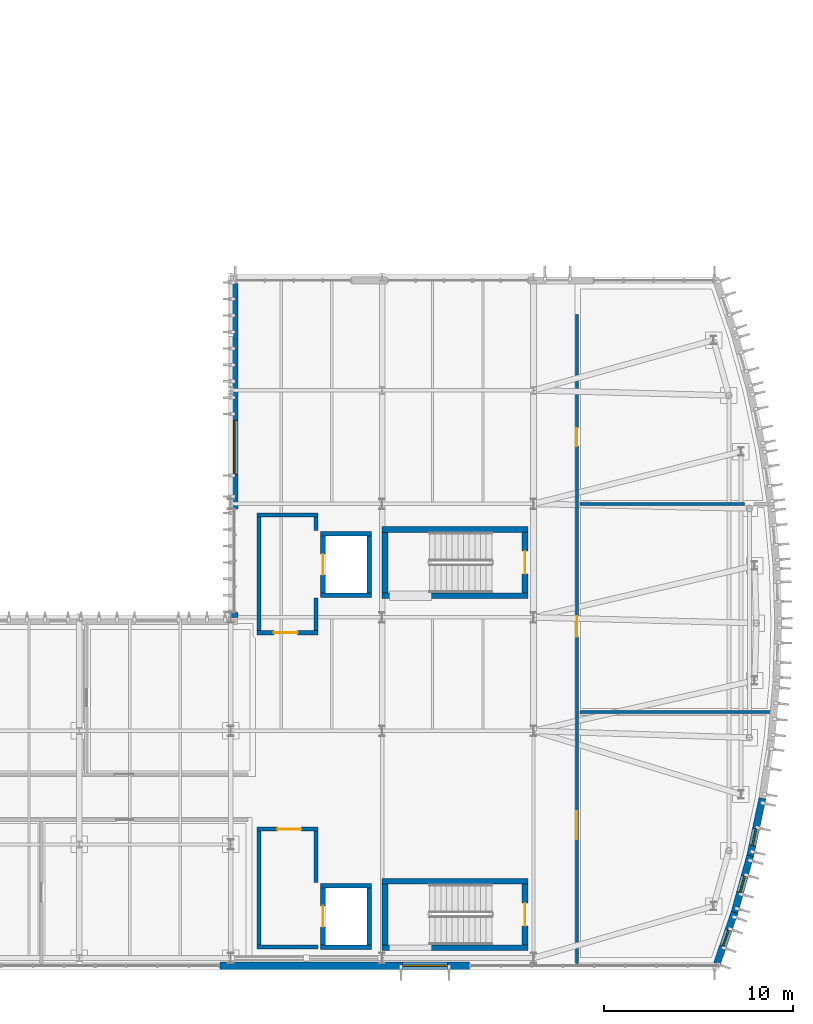
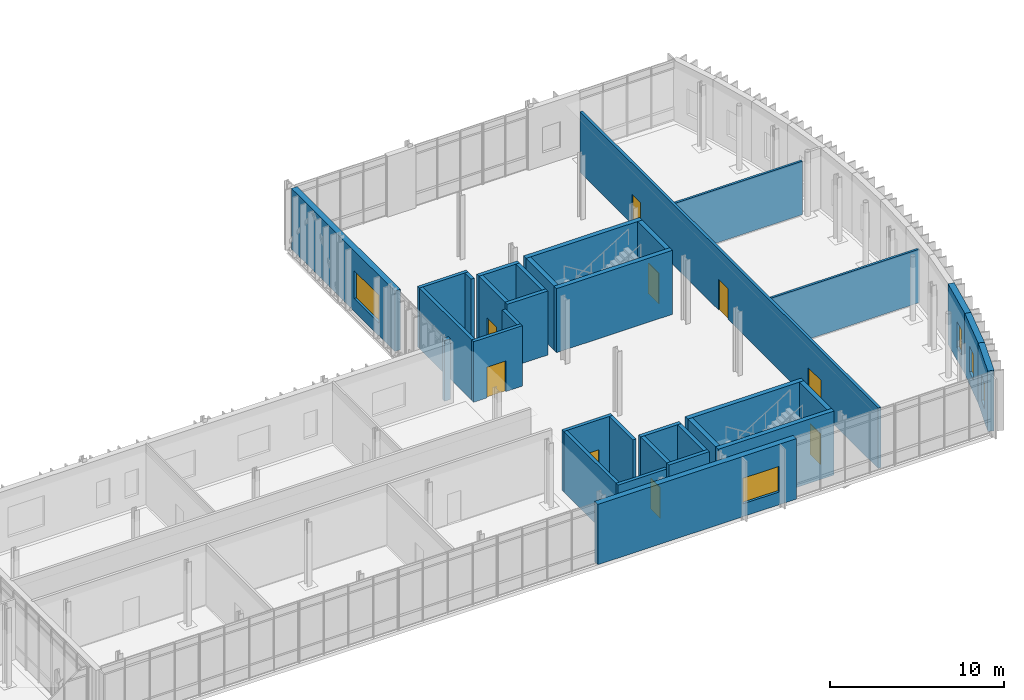
# One storey, part 65 of 86: 34 walls, 9 doors, 5 windows, 14 openings.
"""IFC4 building model written with IfcOpenShell, lengths in metres."""

from ifc_helpers import new_model, si_unit, direction, frame, frame_2d, origin, place, context, subcontext, project, spatial, rectangle, extrude, material, layer, layer_set, type_object, element, fill, save


model = new_model("IFC4")

# Units and contexts
model_context = context("Model", 3, precision=1e-05, world=origin(), true_north=direction((0.0, 1.0)))
body_context = subcontext(model_context, "Body", "Model", "MODEL_VIEW")
ifc_project = project(units=[si_unit("LENGTHUNIT", "METRE"), si_unit("AREAUNIT", "SQUARE_METRE"), si_unit("VOLUMEUNIT", "CUBIC_METRE"), si_unit("PLANEANGLEUNIT", "RADIAN"), si_unit("MASSUNIT", "GRAM", prefix="KILO")], contexts=[model_context])

# Site, building, storey
site_placement = place(None, origin())
site = spatial("IfcSite", under=ifc_project, at=site_placement, CompositionType="ELEMENT")
building_placement = place(site_placement, origin())
building = spatial("IfcBuilding", under=site, at=building_placement, Name="Cymarion Research Institute", CompositionType="ELEMENT")
storey_placement = place(building_placement, frame((0.0, 0.0, 13.800048828125)))
storey = spatial("IfcBuildingStorey", under=building, at=storey_placement, Name="L03", CompositionType="ELEMENT", Elevation=13.800048828125)

# Wall, opening, window
ifc_material_1 = material(Name="Precast concrete C40/50", Category="concrete")
ifc_layer_1 = layer(ifc_material_1, 0.3798828125)
ifc_layer_set_1 = layer_set([ifc_layer_1], Name="Precast concrete C40/50")
wall_type_1 = type_object("IfcWallType", Name="EXTERIOR WALL EW-PC380 380MM", PredefinedType="SOLIDWALL", material=ifc_layer_set_1)
wall_1_placement = place(storey_placement, frame((138.027587890625, 5.090087890625, 0.0), z_axis=(0.0, 0.0, 1.0), x_axis=(1.0, 0.0, 0.0)))
wall_1 = element("IfcWall", 1, at=wall_1_placement, inside=storey, type_object=wall_type_1, Name="L03 V1 facade pier wall EW-PC380 #161", PredefinedType="SOLIDWALL", context=body_context, shape_type="SweptSolid", body=[
    extrude(rectangle(XDim=13.186279296875, YDim=0.3798828125, at=frame_2d((6.59326171875, 0.0))), origin(), (0.0, 0.0, 1.0), 4.239990234375),
])
opening_1_placement = place(wall_1_placement, frame((9.638916015625, 0.0, 0.89990234375)))
opening_1 = element("IfcOpeningElement", 2, at=opening_1_placement, cuts=wall_1, Name="Opening W05", PredefinedType="OPENING", context=body_context, shape_type="SweptSolid", body=[
    extrude(rectangle(XDim=2.39990234375, YDim=1.800048828125, at=frame_2d((1.199951171875, 0.89990234375))), frame((0.0, 0.199951171875, 0.0), z_axis=(0.0, -1.0, 0.0), x_axis=(1.0, 0.0, 0.0)), (0.0, 0.0, 1.0), 0.39990234375),
])
ifc_material_2 = material(Name="Thermally broken aluminium window with Low-E glazing", Category="aluminium")
window_type_1 = type_object("IfcWindowType", Name="THERMALLY BROKEN ALUMINIUM WINDOW W05 2400X1800", PartitioningType="TRIPLE_PANEL_VERTICAL", PredefinedType="WINDOW", material=ifc_material_2)
window_1_placement = place(opening_1_placement, origin())
window_1 = element("IfcWindow", 3, at=window_1_placement, inside=storey, type_object=window_type_1, Name="L03 V1 facade window W05 #307", OverallHeight=1.800048828125, OverallWidth=2.39990234375, PartitioningType="SINGLE_PANEL", PredefinedType="WINDOW", context=body_context, shape_type="SweptSolid", body=[
    extrude(rectangle(XDim=2.39990234375, YDim=1.800048828125, at=frame_2d((1.199951171875, 0.89990234375))), frame((0.0, 0.030029296875, 0.0), z_axis=(0.0, -1.0, 0.0), x_axis=(1.0, 0.0, 0.0)), (0.0, 0.0, 1.0), 0.06005859375),
])
fill(opening_1, window_1)

wall_2_placement = place(storey_placement, frame((164.30224609375, 5.201416015625, 0.0), z_axis=(0.0, 0.0, 1.0), x_axis=(0.323739917301, 0.946146112366, 0.0)))
wall_2 = element("IfcWall", 4, at=wall_2_placement, inside=storey, type_object=wall_type_1, Name="L03 V1 exterior wall EW-PC380 #162", PredefinedType="SOLIDWALL", context=body_context, shape_type="SweptSolid", body=[
    extrude(rectangle(XDim=2.862548828125, YDim=0.3798828125, at=frame_2d((1.43115234375, 0.0))), origin(), (0.0, 0.0, 1.0), 4.25),
])
opening_2_placement = place(wall_2_placement, frame((0.98095703125, 0.0, 0.89990234375)))
opening_2 = element("IfcOpeningElement", 5, at=opening_2_placement, cuts=wall_2, Name="Opening W24", PredefinedType="OPENING", context=body_context, shape_type="SweptSolid", body=[
    extrude(rectangle(XDim=0.89990234375, YDim=1.800048828125, at=frame_2d((0.449951171875, 0.89990234375))), frame((0.0, 0.199951171875, 0.0), z_axis=(0.0, -1.0, 0.0), x_axis=(1.0, 0.0, 0.0)), (0.0, 0.0, 1.0), 0.39990234375),
])
window_type_2 = type_object("IfcWindowType", Name="THERMALLY BROKEN ALUMINIUM WINDOW W24 900X1800", PartitioningType="SINGLE_PANEL", PredefinedType="WINDOW", material=ifc_material_2)
window_2_placement = place(opening_2_placement, origin())
window_2 = element("IfcWindow", 6, at=window_2_placement, inside=storey, type_object=window_type_2, Name="L03 V1 facade window W24 #308", OverallHeight=1.800048828125, OverallWidth=0.89990234375, PartitioningType="SINGLE_PANEL", PredefinedType="WINDOW", context=body_context, shape_type="SweptSolid", body=[
    extrude(rectangle(XDim=0.89990234375, YDim=1.800048828125, at=frame_2d((0.449951171875, 0.89990234375))), frame((0.0, 0.030029296875, 0.0), z_axis=(0.0, -1.0, 0.0), x_axis=(1.0, 0.0, 0.0)), (0.0, 0.0, 1.0), 0.06005859375),
])
fill(opening_2, window_2)

wall_3_placement = place(storey_placement, frame((165.222412109375, 7.8876953125, 0.0), z_axis=(0.0, 0.0, 1.0), x_axis=(0.266536691105, 0.963824772609, 0.0)))
wall_3 = element("IfcWall", 7, at=wall_3_placement, inside=storey, type_object=wall_type_1, Name="L03 V1 exterior wall EW-PC380 #163", PredefinedType="SOLIDWALL", context=body_context, shape_type="SweptSolid", body=[
    extrude(rectangle(XDim=3.1279296875, YDim=0.3798828125, at=frame_2d((1.56396484375, 0.0))), origin(), (0.0, 0.0, 1.0), 4.25),
])
opening_3_placement = place(wall_3_placement, frame((1.114013671875, 0.0, 0.89990234375)))
opening_3 = element("IfcOpeningElement", 8, at=opening_3_placement, cuts=wall_3, Name="Opening W24", PredefinedType="OPENING", context=body_context, shape_type="SweptSolid", body=[
    extrude(rectangle(XDim=0.89990234375, YDim=1.800048828125, at=frame_2d((0.449951171875, 0.89990234375))), frame((0.0, 0.199951171875, 0.0), z_axis=(0.0, -1.0, 0.0), x_axis=(1.0, 0.0, 0.0)), (0.0, 0.0, 1.0), 0.39990234375),
])
window_3_placement = place(opening_3_placement, origin())
window_3 = element("IfcWindow", 9, at=window_3_placement, inside=storey, type_object=window_type_2, Name="L03 V1 facade window W24 #309", OverallHeight=1.800048828125, OverallWidth=0.89990234375, PartitioningType="SINGLE_PANEL", PredefinedType="WINDOW", context=body_context, shape_type="SweptSolid", body=[
    extrude(rectangle(XDim=0.89990234375, YDim=1.800048828125, at=frame_2d((0.449951171875, 0.89990234375))), frame((0.0, 0.030029296875, 0.0), z_axis=(0.0, -1.0, 0.0), x_axis=(1.0, 0.0, 0.0)), (0.0, 0.0, 1.0), 0.06005859375),
])
fill(opening_3, window_3)

wall_4_placement = place(storey_placement, frame((166.05078125, 10.8798828125, 0.0), z_axis=(0.0, 0.0, 1.0), x_axis=(0.208287141705, 0.978067720866, 0.0)))
wall_4 = element("IfcWall", 10, at=wall_4_placement, inside=storey, type_object=wall_type_1, Name="L03 V1 exterior wall EW-PC380 #164", PredefinedType="SOLIDWALL", context=body_context, shape_type="SweptSolid", body=[
    extrude(rectangle(XDim=3.12841796875, YDim=0.3798828125, at=frame_2d((1.564208984375, 0.0))), origin(), (0.0, 0.0, 1.0), 4.25),
])
opening_4_placement = place(wall_4_placement, frame((0.5830078125, 0.0, 0.89990234375)))
opening_4 = element("IfcOpeningElement", 11, at=opening_4_placement, cuts=wall_4, Name="Opening W24", PredefinedType="OPENING", context=body_context, shape_type="SweptSolid", body=[
    extrude(rectangle(XDim=0.89990234375, YDim=1.800048828125, at=frame_2d((0.449951171875, 0.89990234375))), frame((0.0, 0.199951171875, 0.0), z_axis=(0.0, -1.0, 0.0), x_axis=(1.0, 0.0, 0.0)), (0.0, 0.0, 1.0), 0.39990234375),
])
window_4_placement = place(opening_4_placement, origin())
window_4 = element("IfcWindow", 12, at=window_4_placement, inside=storey, type_object=window_type_2, Name="L03 V1 facade window W24 #310", OverallHeight=1.800048828125, OverallWidth=0.89990234375, PartitioningType="SINGLE_PANEL", PredefinedType="WINDOW", context=body_context, shape_type="SweptSolid", body=[
    extrude(rectangle(XDim=0.89990234375, YDim=1.800048828125, at=frame_2d((0.449951171875, 0.89990234375))), frame((0.0, 0.030029296875, 0.0), z_axis=(0.0, -1.0, 0.0), x_axis=(1.0, 0.0, 0.0)), (0.0, 0.0, 1.0), 0.06005859375),
])
fill(opening_4, window_4)

wall_5_placement = place(storey_placement, frame((138.7900390625, 41.137939453125, 0.0), z_axis=(0.0, 0.0, 1.0), x_axis=(0.0, -1.0, 0.0)))
wall_5 = element("IfcWall", 13, at=wall_5_placement, inside=storey, type_object=wall_type_1, Name="L03 V1 facade pier wall EW-PC380 #177", PredefinedType="SOLIDWALL", context=body_context, shape_type="SweptSolid", body=[
    extrude(rectangle(XDim=11.89794921875, YDim=0.3798828125, at=frame_2d((5.948974609375, 0.0))), origin(), (0.0, 0.0, 1.0), 4.25),
])
opening_5_placement = place(wall_5_placement, frame((7.222900390625, 0.0, 0.89990234375)))
opening_5 = element("IfcOpeningElement", 14, at=opening_5_placement, cuts=wall_5, Name="Opening W32", PredefinedType="OPENING", context=body_context, shape_type="SweptSolid", body=[
    extrude(rectangle(XDim=2.85009765625, YDim=1.949951171875, at=frame_2d((1.425048828125, 0.97509765625))), frame((0.0, 0.199951171875, 0.0), z_axis=(0.0, -1.0, 0.0), x_axis=(1.0, 0.0, 0.0)), (0.0, 0.0, 1.0), 0.39990234375),
])
window_type_3 = type_object("IfcWindowType", Name="THERMALLY BROKEN ALUMINIUM WINDOW W32 2850X1950", PartitioningType="TRIPLE_PANEL_VERTICAL", PredefinedType="WINDOW", material=ifc_material_2)
window_5_placement = place(opening_5_placement, origin())
window_5 = element("IfcWindow", 15, at=window_5_placement, inside=storey, type_object=window_type_3, Name="L03 V1 facade window W32 #320", OverallHeight=1.949951171875, OverallWidth=2.85009765625, PartitioningType="SINGLE_PANEL", PredefinedType="WINDOW", context=body_context, shape_type="SweptSolid", body=[
    extrude(rectangle(XDim=2.85009765625, YDim=1.949951171875, at=frame_2d((1.425048828125, 0.97509765625))), frame((0.0, 0.030029296875, 0.0), z_axis=(0.0, -1.0, 0.0), x_axis=(1.0, 0.0, 0.0)), (0.0, 0.0, 1.0), 0.06005859375),
])
fill(opening_5, window_5)

# Walls
wall_6_placement = place(storey_placement, frame((138.7900390625, 23.760009765625, 0.0), z_axis=(0.0, 0.0, 1.0), x_axis=(0.0, -1.0, 0.0)))
element("IfcWall", 16, at=wall_6_placement, inside=storey, type_object=wall_type_1, Name="L03 V1 facade pier wall EW-PC380 #178", PredefinedType="SOLIDWALL", context=body_context, shape_type="SweptSolid", body=[
    extrude(rectangle(XDim=0.260009765625, YDim=0.3798828125, at=frame_2d((0.1298828125, 0.0))), origin(), (0.0, 0.0, 1.0), 4.25),
])
ifc_material_3 = material(Name="Gypsum acoustic double-stud partition", Category="gypsum")
ifc_layer_2 = layer(ifc_material_3, 0.14990234375)
ifc_layer_set_2 = layer_set([ifc_layer_2], Name="Gypsum acoustic double-stud partition")
wall_type_2 = type_object("IfcWallType", Name="INTERIOR PARTITION IW-AC150 150MM", PredefinedType="PARTITIONING", material=ifc_layer_set_2)
wall_7_placement = place(storey_placement, frame((157.050048828125, 18.5, 0.0), z_axis=(0.0, 0.0, 1.0), x_axis=(1.0, 0.0, 0.0)))
element("IfcWall", 17, at=wall_7_placement, inside=storey, type_object=wall_type_2, Name="L03 V1 interior partition IW-AC150 #227", PredefinedType="PARTITIONING", context=body_context, shape_type="SweptSolid", body=[
    extrude(rectangle(XDim=10.134033203125, YDim=0.14990234375, at=frame_2d((5.06689453125, 0.0))), origin(), (0.0, 0.0, 1.0), 3.75),
])
wall_8_placement = place(storey_placement, frame((157.050048828125, 29.5, 0.0), z_axis=(0.0, 0.0, 1.0), x_axis=(1.0, 0.0, 0.0)))
element("IfcWall", 18, at=wall_8_placement, inside=storey, type_object=wall_type_2, Name="L03 V1 interior partition IW-AC150 #228", PredefinedType="PARTITIONING", context=body_context, shape_type="SweptSolid", body=[
    extrude(rectangle(XDim=8.712890625, YDim=0.14990234375, at=frame_2d((4.3564453125, 0.0))), origin(), (0.0, 0.0, 1.0), 3.75),
])

# Wall, openings, doors
ifc_material_4 = material(Name="Moisture-resistant laboratory partition", Category="gypsum")
ifc_layer_3 = layer(ifc_material_4, 0.179931640625)
ifc_layer_set_3 = layer_set([ifc_layer_3], Name="Moisture-resistant laboratory partition")
wall_type_3 = type_object("IfcWallType", Name="INTERIOR PARTITION IW-LB180 180MM", PredefinedType="PARTITIONING", material=ifc_layer_set_3)
wall_9_placement = place(storey_placement, frame((156.89990234375, 5.205078125, 0.0), z_axis=(0.0, 0.0, 1.0), x_axis=(0.0, 1.0, 0.0)))
wall_9 = element("IfcWall", 19, at=wall_9_placement, inside=storey, type_object=wall_type_3, Name="L03 V1 interior partition IW-LB180 #226", PredefinedType="PARTITIONING", context=body_context, shape_type="SweptSolid", body=[
    extrude(rectangle(XDim=34.294921875, YDim=0.179931640625, at=frame_2d((17.1474609375, 0.0))), origin(), (0.0, 0.0, 1.0), 4.25),
])
opening_6_placement = place(wall_9_placement, frame((6.55908203125, 0.0, 0.0)))
opening_6 = element("IfcOpeningElement", 20, at=opening_6_placement, cuts=wall_9, Name="Opening D-L03-151", PredefinedType="OPENING", context=body_context, shape_type="SweptSolid", body=[
    extrude(rectangle(XDim=1.5, YDim=2.199951171875, at=frame_2d((0.75, 1.10009765625))), frame((0.0, 0.099853515625, 0.0), z_axis=(0.0, -1.0, 0.0), x_axis=(1.0, 0.0, 0.0)), (0.0, 0.0, 1.0), 0.199951171875),
])
opening_7_placement = place(wall_9_placement, frame((17.260986328125, 0.0, 0.0)))
opening_7 = element("IfcOpeningElement", 21, at=opening_7_placement, cuts=wall_9, Name="Opening D-L03-152", PredefinedType="OPENING", context=body_context, shape_type="SweptSolid", body=[
    extrude(rectangle(XDim=1.10009765625, YDim=2.14990234375, at=frame_2d((0.550048828125, 1.074951171875))), frame((0.0, 0.099853515625, 0.0), z_axis=(0.0, -1.0, 0.0), x_axis=(1.0, 0.0, 0.0)), (0.0, 0.0, 1.0), 0.199951171875),
])
opening_8_placement = place(wall_9_placement, frame((27.343017578125, 0.0, 0.0)))
opening_8 = element("IfcOpeningElement", 22, at=opening_8_placement, cuts=wall_9, Name="Opening D-L03-153", PredefinedType="OPENING", context=body_context, shape_type="SweptSolid", body=[
    extrude(rectangle(XDim=0.949951171875, YDim=2.10009765625, at=frame_2d((0.47509765625, 1.050048828125))), frame((0.0, 0.099853515625, 0.0), z_axis=(0.0, -1.0, 0.0), x_axis=(1.0, 0.0, 0.0)), (0.0, 0.0, 1.0), 0.199951171875),
])
ifc_material_5 = material(Name="Flush acoustic timber/steel door assembly", Category="steel")
door_type_1 = type_object("IfcDoorType", Name="FACULTY STUDY DOOR DT-OF095 950X2100", OperationType="NOTDEFINED", PredefinedType="DOOR", material=ifc_material_5)
door_1_placement = place(opening_8_placement, origin())
door_1 = element("IfcDoor", 23, at=door_1_placement, inside=storey, type_object=door_type_1, Name="L03 Prow Seminar door D-L03-153", OperationType="SINGLE_SWING_RIGHT", OverallHeight=2.10009765625, OverallWidth=0.949951171875, PredefinedType="DOOR", context=body_context, shape_type="SweptSolid", body=[
    extrude(rectangle(XDim=0.949951171875, YDim=2.10009765625, at=frame_2d((0.47509765625, 1.050048828125))), frame((0.0, 0.02490234375, 0.0), z_axis=(0.0, -1.0, 0.0), x_axis=(1.0, 0.0, 0.0)), (0.0, 0.0, 1.0), 0.050048828125),
])
fill(opening_8, door_1)
door_type_2 = type_object("IfcDoorType", Name="LABORATORY EQUIPMENT DOUBLE DOOR DT-LB150 1500X2200", OperationType="DOUBLE_DOOR_SINGLE_SWING", PredefinedType="DOOR", material=ifc_material_5)
door_2_placement = place(opening_6_placement, origin())
door_2 = element("IfcDoor", 24, at=door_2_placement, inside=storey, type_object=door_type_2, Name="L03 Prow Lab 1 door D-L03-151", OperationType="DOUBLE_DOOR_SINGLE_SWING", OverallHeight=2.199951171875, OverallWidth=1.5, PredefinedType="DOOR", context=body_context, shape_type="SweptSolid", body=[
    extrude(rectangle(XDim=1.5, YDim=2.199951171875, at=frame_2d((0.75, 1.10009765625))), frame((0.0, 0.02490234375, 0.0), z_axis=(0.0, -1.0, 0.0), x_axis=(1.0, 0.0, 0.0)), (0.0, 0.0, 1.0), 0.050048828125),
])
fill(opening_6, door_2)
door_type_3 = type_object("IfcDoorType", Name="LABORATORY WIDE SINGLE DOOR DT-LB110 1100X2150", OperationType="NOTDEFINED", PredefinedType="DOOR", material=ifc_material_5)
door_3_placement = place(opening_7_placement, origin())
door_3 = element("IfcDoor", 25, at=door_3_placement, inside=storey, type_object=door_type_3, Name="L03 Prow Lab 2 door D-L03-152", OperationType="SINGLE_SWING_LEFT", OverallHeight=2.14990234375, OverallWidth=1.10009765625, PredefinedType="DOOR", context=body_context, shape_type="SweptSolid", body=[
    extrude(rectangle(XDim=1.10009765625, YDim=2.14990234375, at=frame_2d((0.550048828125, 1.074951171875))), frame((0.0, 0.02490234375, 0.0), z_axis=(0.0, -1.0, 0.0), x_axis=(1.0, 0.0, 0.0)), (0.0, 0.0, 1.0), 0.050048828125),
])
fill(opening_7, door_3)

# Wall
ifc_material_6 = material(Name="Concrete C40/50", Category="concrete")
ifc_layer_4 = layer(ifc_material_6, 0.219970703125)
ifc_layer_set_4 = layer_set([ifc_layer_4], Name="Concrete C40/50")
wall_type_4 = type_object("IfcWallType", Name="REINFORCED CONCRETE CORE WALL CW-FF220 220MM", PredefinedType="SOLIDWALL", material=ifc_layer_set_4)
wall_10_placement = place(storey_placement, frame((139.97998046875, 6.090087890625, 0.0), z_axis=(0.0, 0.0, 1.0), x_axis=(1.0, 0.0, 0.0)))
element("IfcWall", 26, at=wall_10_placement, inside=storey, type_object=wall_type_4, Name="L03 FFL-LF1-L03 south core wall", PredefinedType="SOLIDWALL", context=body_context, shape_type="SweptSolid", body=[
    extrude(rectangle(XDim=3.239990234375, YDim=0.219970703125, at=frame_2d((1.6201171875, 0.0))), origin(), (0.0, 0.0, 1.0), 4.25),
])

# Wall, opening, door
wall_11_placement = place(storey_placement, frame((143.219970703125, 12.31005859375, 0.0), z_axis=(0.0, 0.0, 1.0), x_axis=(-1.0, 0.0, 0.0)))
wall_11 = element("IfcWall", 27, at=wall_11_placement, inside=storey, type_object=wall_type_4, Name="L03 FFL-LF1-L03 north core wall", PredefinedType="SOLIDWALL", context=body_context, shape_type="SweptSolid", body=[
    extrude(rectangle(XDim=3.239990234375, YDim=0.219970703125, at=frame_2d((1.6201171875, 0.0))), origin(), (0.0, 0.0, 1.0), 4.25),
])
opening_9_placement = place(wall_11_placement, frame((0.89990234375, 0.0, 0.0)))
opening_9 = element("IfcOpeningElement", 28, at=opening_9_placement, cuts=wall_11, Name="Opening FD-FFL-LF1-L03", PredefinedType="OPENING", context=body_context, shape_type="SweptSolid", body=[
    extrude(rectangle(XDim=1.25, YDim=2.14990234375, at=frame_2d((0.625, 1.074951171875))), frame((0.0, 0.119873046875, 0.0), z_axis=(0.0, -1.0, 0.0), x_axis=(1.0, 0.0, 0.0)), (0.0, 0.0, 1.0), 0.239990234375),
])
ifc_material_7 = material(Name="Fire-rated insulated steel door assembly", Category="steel")
door_type_4 = type_object("IfcDoorType", Name="FIREFIGHTING LOBBY DOOR DT-FF125 1250X2150", OperationType="NOTDEFINED", PredefinedType="DOOR", material=ifc_material_7)
door_4_placement = place(opening_9_placement, frame((1.25, 0.0, 0.0), z_axis=(0.0, 0.0, 1.0), x_axis=(-1.0, 0.0, 0.0)))
door_4 = element("IfcDoor", 29, at=door_4_placement, inside=storey, type_object=door_type_4, Name="L03 Firefighting lobby door FD-FFL-LF1-L03", OperationType="SINGLE_SWING_LEFT", OverallHeight=2.14990234375, OverallWidth=1.25, PredefinedType="DOOR", context=body_context, shape_type="SweptSolid", body=[
    extrude(rectangle(XDim=1.25, YDim=2.14990234375, at=frame_2d((0.625, 1.074951171875))), frame((0.0, 0.02490234375, 0.0), z_axis=(0.0, -1.0, 0.0), x_axis=(1.0, 0.0, 0.0)), (0.0, 0.0, 1.0), 0.050048828125),
])
fill(opening_9, door_4)

# Walls
wall_12_placement = place(storey_placement, frame((140.090087890625, 12.199951171875, 0.0), z_axis=(0.0, 0.0, 1.0), x_axis=(0.0, -1.0, 0.0)))
element("IfcWall", 30, at=wall_12_placement, inside=storey, type_object=wall_type_4, Name="L03 FFL-LF1-L03 west core wall", PredefinedType="SOLIDWALL", context=body_context, shape_type="SweptSolid", body=[
    extrude(rectangle(XDim=6.0, YDim=0.219970703125, at=frame_2d((3.0, 0.0))), origin(), (0.0, 0.0, 1.0), 4.25),
])
wall_13_placement = place(storey_placement, frame((143.110107421875, 9.47998046875, 0.0), z_axis=(0.0, 0.0, 1.0), x_axis=(0.0, 1.0, 0.0)))
element("IfcWall", 31, at=wall_13_placement, inside=storey, type_object=wall_type_4, Name="Core C1 firefighting lobby east closure wall L03", PredefinedType="SOLIDWALL", context=body_context, shape_type="SweptSolid", body=[
    extrude(rectangle(XDim=2.719970703125, YDim=0.219970703125, at=frame_2d((1.35986328125, 0.0))), origin(), (0.0, 0.0, 1.0), 4.25),
])

# Wall, opening, door
wall_14_placement = place(storey_placement, frame((139.97998046875, 22.68994140625, 0.0), z_axis=(0.0, 0.0, 1.0), x_axis=(1.0, 0.0, 0.0)))
wall_14 = element("IfcWall", 32, at=wall_14_placement, inside=storey, type_object=wall_type_4, Name="L03 FFL-LF2-L03 south core wall", PredefinedType="SOLIDWALL", context=body_context, shape_type="SweptSolid", body=[
    extrude(rectangle(XDim=3.239990234375, YDim=0.219970703125, at=frame_2d((1.6201171875, 0.0))), origin(), (0.0, 0.0, 1.0), 4.25),
])
opening_10_placement = place(wall_14_placement, frame((0.89990234375, 0.0, 0.0)))
opening_10 = element("IfcOpeningElement", 33, at=opening_10_placement, cuts=wall_14, Name="Opening FD-FFL-LF2-L03", PredefinedType="OPENING", context=body_context, shape_type="SweptSolid", body=[
    extrude(rectangle(XDim=1.25, YDim=2.14990234375, at=frame_2d((0.625, 1.074951171875))), frame((0.0, 0.119873046875, 0.0), z_axis=(0.0, -1.0, 0.0), x_axis=(1.0, 0.0, 0.0)), (0.0, 0.0, 1.0), 0.239990234375),
])
door_5_placement = place(opening_10_placement, frame((1.25, 0.0, 0.0), z_axis=(0.0, 0.0, 1.0), x_axis=(-1.0, 0.0, 0.0)))
door_5 = element("IfcDoor", 34, at=door_5_placement, inside=storey, type_object=door_type_4, Name="L03 Firefighting lobby door FD-FFL-LF2-L03", OperationType="SINGLE_SWING_LEFT", OverallHeight=2.14990234375, OverallWidth=1.25, PredefinedType="DOOR", context=body_context, shape_type="SweptSolid", body=[
    extrude(rectangle(XDim=1.25, YDim=2.14990234375, at=frame_2d((0.625, 1.074951171875))), frame((0.0, 0.02490234375, 0.0), z_axis=(0.0, -1.0, 0.0), x_axis=(1.0, 0.0, 0.0)), (0.0, 0.0, 1.0), 0.050048828125),
])
fill(opening_10, door_5)

# Walls
wall_15_placement = place(storey_placement, frame((143.219970703125, 28.909912109375, 0.0), z_axis=(0.0, 0.0, 1.0), x_axis=(-1.0, 0.0, 0.0)))
element("IfcWall", 35, at=wall_15_placement, inside=storey, type_object=wall_type_4, Name="L03 FFL-LF2-L03 north core wall", PredefinedType="SOLIDWALL", context=body_context, shape_type="SweptSolid", body=[
    extrude(rectangle(XDim=3.239990234375, YDim=0.219970703125, at=frame_2d((1.6201171875, 0.0))), origin(), (0.0, 0.0, 1.0), 4.25),
])
wall_16_placement = place(storey_placement, frame((140.090087890625, 28.800048828125, 0.0), z_axis=(0.0, 0.0, 1.0), x_axis=(0.0, -1.0, 0.0)))
element("IfcWall", 36, at=wall_16_placement, inside=storey, type_object=wall_type_4, Name="L03 FFL-LF2-L03 west core wall", PredefinedType="SOLIDWALL", context=body_context, shape_type="SweptSolid", body=[
    extrude(rectangle(XDim=6.0, YDim=0.219970703125, at=frame_2d((3.0, 0.0))), origin(), (0.0, 0.0, 1.0), 4.25),
])
wall_17_placement = place(storey_placement, frame((143.110107421875, 22.800048828125, 0.0), z_axis=(0.0, 0.0, 1.0), x_axis=(0.0, 1.0, 0.0)))
element("IfcWall", 37, at=wall_17_placement, inside=storey, type_object=wall_type_4, Name="Core C2 firefighting lobby east closure wall L03 #1", PredefinedType="SOLIDWALL", context=body_context, shape_type="SweptSolid", body=[
    extrude(rectangle(XDim=1.719970703125, YDim=0.219970703125, at=frame_2d((0.85986328125, 0.0))), origin(), (0.0, 0.0, 1.0), 4.25),
])
wall_18_placement = place(storey_placement, frame((143.110107421875, 28.080078125, 0.0), z_axis=(0.0, 0.0, 1.0), x_axis=(0.0, 1.0, 0.0)))
element("IfcWall", 38, at=wall_18_placement, inside=storey, type_object=wall_type_4, Name="Core C2 firefighting lobby east closure wall L03 #2", PredefinedType="SOLIDWALL", context=body_context, shape_type="SweptSolid", body=[
    extrude(rectangle(XDim=0.719970703125, YDim=0.219970703125, at=frame_2d((0.35986328125, 0.0))), origin(), (0.0, 0.0, 1.0), 4.25),
])
ifc_layer_5 = layer(ifc_material_6, 0.25)
ifc_layer_set_5 = layer_set([ifc_layer_5], Name="Concrete C40/50")
wall_type_5 = type_object("IfcWallType", Name="REINFORCED CONCRETE CORE WALL CW-SH250 250MM", PredefinedType="SHEAR", material=ifc_layer_set_5)
for number, where, z_axis, x_axis, name in (
    (39, (143.35009765625, 6.074951171875, 0.0), (0.0, 0.0, 1.0), (1.0, 0.0, 0.0), "L03 LSH-LF1-L03 south core wall"),
    (40, (146.050048828125, 9.324951171875, 0.0), (0.0, 0.0, 1.0), (-1.0, 0.0, 0.0), "L03 LSH-LF1-L03 north core wall"),
):
    element("IfcWall", number, at=place(storey_placement, frame(where, z_axis=z_axis, x_axis=x_axis)), inside=storey, type_object=wall_type_5, Name=name, PredefinedType="SHEAR", context=body_context, shape_type="SweptSolid", body=[
        extrude(rectangle(XDim=2.699951171875, YDim=0.25, at=frame_2d((1.35009765625, 0.0))), origin(), (0.0, 0.0, 1.0), 4.5),
    ])

# Wall, opening, door
wall_19_placement = place(storey_placement, frame((143.47509765625, 9.199951171875, 0.0), z_axis=(0.0, 0.0, 1.0), x_axis=(0.0, -1.0, 0.0)))
wall_19 = element("IfcWall", 41, at=wall_19_placement, inside=storey, type_object=wall_type_5, Name="L03 LSH-LF1-L03 west core wall", PredefinedType="SHEAR", context=body_context, shape_type="SweptSolid", body=[
    extrude(rectangle(XDim=3.0, YDim=0.25, at=frame_2d((1.5, 0.0))), origin(), (0.0, 0.0, 1.0), 4.5),
])
opening_11_placement = place(wall_19_placement, frame((0.949951171875, 0.0, 0.0)))
opening_11 = element("IfcOpeningElement", 42, at=opening_11_placement, cuts=wall_19, Name="Opening LD-LF1-L03", PredefinedType="OPENING", context=body_context, shape_type="SweptSolid", body=[
    extrude(rectangle(XDim=1.10009765625, YDim=2.14990234375, at=frame_2d((0.550048828125, 1.074951171875))), frame((0.0, 0.135009765625, 0.0), z_axis=(0.0, -1.0, 0.0), x_axis=(1.0, 0.0, 0.0)), (0.0, 0.0, 1.0), 0.27001953125),
])
door_type_5 = type_object("IfcDoorType", Name="SLIDING LIFT LANDING DOOR DT-LD110 1100X2150", OperationType="DOUBLE_DOOR_SLIDING", PredefinedType="DOOR", material=ifc_material_7)
door_6_placement = place(opening_11_placement, origin())
door_6 = element("IfcDoor", 43, at=door_6_placement, inside=storey, type_object=door_type_5, Name="Lift LF1 landing door L03", OperationType="DOUBLE_DOOR_SLIDING", OverallHeight=2.14990234375, OverallWidth=1.10009765625, PredefinedType="DOOR", context=body_context, shape_type="SweptSolid", body=[
    extrude(rectangle(XDim=1.10009765625, YDim=2.14990234375, at=frame_2d((0.550048828125, 1.074951171875))), frame((0.0, 0.02490234375, 0.0), z_axis=(0.0, -1.0, 0.0), x_axis=(1.0, 0.0, 0.0)), (0.0, 0.0, 1.0), 0.050048828125),
])
fill(opening_11, door_6)

# Walls
wall_20_placement = place(storey_placement, frame((145.925048828125, 6.199951171875, 0.0), z_axis=(0.0, 0.0, 1.0), x_axis=(0.0, 1.0, 0.0)))
element("IfcWall", 44, at=wall_20_placement, inside=storey, type_object=wall_type_5, Name="L03 LSH-LF1-L03 east core wall", PredefinedType="SHEAR", context=body_context, shape_type="SweptSolid", body=[
    extrude(rectangle(XDim=3.0, YDim=0.25, at=frame_2d((1.5, 0.0))), origin(), (0.0, 0.0, 1.0), 4.5),
])
for number, where, z_axis, x_axis, name in (
    (45, (143.35009765625, 24.675048828125, 0.0), (0.0, 0.0, 1.0), (1.0, 0.0, 0.0), "L03 LSH-LF2-L03 south core wall"),
    (46, (146.050048828125, 27.925048828125, 0.0), (0.0, 0.0, 1.0), (-1.0, 0.0, 0.0), "L03 LSH-LF2-L03 north core wall"),
):
    element("IfcWall", number, at=place(storey_placement, frame(where, z_axis=z_axis, x_axis=x_axis)), inside=storey, type_object=wall_type_5, Name=name, PredefinedType="SHEAR", context=body_context, shape_type="SweptSolid", body=[
        extrude(rectangle(XDim=2.699951171875, YDim=0.25, at=frame_2d((1.35009765625, 0.0))), origin(), (0.0, 0.0, 1.0), 4.5),
    ])

# Wall, opening, door
wall_21_placement = place(storey_placement, frame((143.47509765625, 27.800048828125, 0.0), z_axis=(0.0, 0.0, 1.0), x_axis=(0.0, -1.0, 0.0)))
wall_21 = element("IfcWall", 47, at=wall_21_placement, inside=storey, type_object=wall_type_5, Name="L03 LSH-LF2-L03 west core wall", PredefinedType="SHEAR", context=body_context, shape_type="SweptSolid", body=[
    extrude(rectangle(XDim=3.0, YDim=0.25, at=frame_2d((1.5, 0.0))), origin(), (0.0, 0.0, 1.0), 4.5),
])
opening_12_placement = place(wall_21_placement, frame((0.949951171875, 0.0, 0.0)))
opening_12 = element("IfcOpeningElement", 48, at=opening_12_placement, cuts=wall_21, Name="Opening LD-LF2-L03", PredefinedType="OPENING", context=body_context, shape_type="SweptSolid", body=[
    extrude(rectangle(XDim=1.10009765625, YDim=2.14990234375, at=frame_2d((0.550048828125, 1.074951171875))), frame((0.0, 0.135009765625, 0.0), z_axis=(0.0, -1.0, 0.0), x_axis=(1.0, 0.0, 0.0)), (0.0, 0.0, 1.0), 0.27001953125),
])
door_7_placement = place(opening_12_placement, origin())
door_7 = element("IfcDoor", 49, at=door_7_placement, inside=storey, type_object=door_type_5, Name="Lift LF2 landing door L03", OperationType="DOUBLE_DOOR_SLIDING", OverallHeight=2.14990234375, OverallWidth=1.10009765625, PredefinedType="DOOR", context=body_context, shape_type="SweptSolid", body=[
    extrude(rectangle(XDim=1.10009765625, YDim=2.14990234375, at=frame_2d((0.550048828125, 1.074951171875))), frame((0.0, 0.02490234375, 0.0), z_axis=(0.0, -1.0, 0.0), x_axis=(1.0, 0.0, 0.0)), (0.0, 0.0, 1.0), 0.050048828125),
])
fill(opening_12, door_7)

# Walls
wall_22_placement = place(storey_placement, frame((145.925048828125, 24.800048828125, 0.0), z_axis=(0.0, 0.0, 1.0), x_axis=(0.0, 1.0, 0.0)))
element("IfcWall", 50, at=wall_22_placement, inside=storey, type_object=wall_type_5, Name="L03 LSH-LF2-L03 east core wall", PredefinedType="SHEAR", context=body_context, shape_type="SweptSolid", body=[
    extrude(rectangle(XDim=3.0, YDim=0.25, at=frame_2d((1.5, 0.0))), origin(), (0.0, 0.0, 1.0), 4.5),
])
ifc_layer_6 = layer(ifc_material_6, 0.300048828125)
ifc_layer_set_6 = layer_set([ifc_layer_6], Name="Concrete C40/50")
wall_type_6 = type_object("IfcWallType", Name="REINFORCED CONCRETE CORE WALL CW-SH300 300MM", PredefinedType="SHEAR", material=ifc_layer_set_6)
for number, where, z_axis, x_axis, name in (
    (51, (146.60009765625, 6.050048828125, 0.0), (0.0, 0.0, 1.0), (1.0, 0.0, 0.0), "L03 SHW-C1-L03 south core wall"),
    (52, (154.300048828125, 9.550048828125, 0.0), (0.0, 0.0, 1.0), (-1.0, 0.0, 0.0), "L03 SHW-C1-L03 north core wall"),
):
    element("IfcWall", number, at=place(storey_placement, frame(where, z_axis=z_axis, x_axis=x_axis)), inside=storey, type_object=wall_type_6, Name=name, PredefinedType="SHEAR", context=body_context, shape_type="SweptSolid", body=[
        extrude(rectangle(XDim=7.699951171875, YDim=0.300048828125, at=frame_2d((3.85009765625, 0.0))), origin(), (0.0, 0.0, 1.0), 4.5),
    ])
wall_23_placement = place(storey_placement, frame((146.75, 9.39990234375, 0.0), z_axis=(0.0, 0.0, 1.0), x_axis=(0.0, -1.0, 0.0)))
element("IfcWall", 53, at=wall_23_placement, inside=storey, type_object=wall_type_6, Name="L03 SHW-C1-L03 west core wall", PredefinedType="SHEAR", context=body_context, shape_type="SweptSolid", body=[
    extrude(rectangle(XDim=3.199951171875, YDim=0.300048828125, at=frame_2d((1.60009765625, 0.0))), origin(), (0.0, 0.0, 1.0), 4.5),
])

# Wall, opening, door
wall_24_placement = place(storey_placement, frame((154.14990234375, 6.199951171875, 0.0), z_axis=(0.0, 0.0, 1.0), x_axis=(0.0, 1.0, 0.0)))
wall_24 = element("IfcWall", 54, at=wall_24_placement, inside=storey, type_object=wall_type_6, Name="L03 SHW-C1-L03 east core wall", PredefinedType="SHEAR", context=body_context, shape_type="SweptSolid", body=[
    extrude(rectangle(XDim=3.199951171875, YDim=0.300048828125, at=frame_2d((1.60009765625, 0.0))), origin(), (0.0, 0.0, 1.0), 4.5),
])
opening_13_placement = place(wall_24_placement, frame((1.0, 0.0, 0.0)))
opening_13 = element("IfcOpeningElement", 55, at=opening_13_placement, cuts=wall_24, Name="Opening FD-L03-ST1", PredefinedType="OPENING", context=body_context, shape_type="SweptSolid", body=[
    extrude(rectangle(XDim=1.199951171875, YDim=2.14990234375, at=frame_2d((0.60009765625, 1.074951171875))), frame((0.0, 0.159912109375, 0.0), z_axis=(0.0, -1.0, 0.0), x_axis=(1.0, 0.0, 0.0)), (0.0, 0.0, 1.0), 0.320068359375),
])
door_type_6 = type_object("IfcDoorType", Name="SMOKE PROOF STAIR FIRE DOOR DT-ST120 1200X2150", OperationType="NOTDEFINED", PredefinedType="DOOR", material=ifc_material_7)
door_8_placement = place(opening_13_placement, origin())
door_8 = element("IfcDoor", 56, at=door_8_placement, inside=storey, type_object=door_type_6, Name="L03 ST1 smoke-proof stair door FD-L03-ST1", OperationType="SINGLE_SWING_LEFT", OverallHeight=2.14990234375, OverallWidth=1.199951171875, PredefinedType="DOOR", context=body_context, shape_type="SweptSolid", body=[
    extrude(rectangle(XDim=1.199951171875, YDim=2.14990234375, at=frame_2d((0.60009765625, 1.074951171875))), frame((0.0, 0.02490234375, 0.0), z_axis=(0.0, -1.0, 0.0), x_axis=(1.0, 0.0, 0.0)), (0.0, 0.0, 1.0), 0.050048828125),
])
fill(opening_13, door_8)

# Walls
for number, where, z_axis, x_axis, name in (
    (57, (146.60009765625, 24.64990234375, 0.0), (0.0, 0.0, 1.0), (1.0, 0.0, 0.0), "L03 SHW-C2-L03 south core wall"),
    (58, (154.300048828125, 28.14990234375, 0.0), (0.0, 0.0, 1.0), (-1.0, 0.0, 0.0), "L03 SHW-C2-L03 north core wall"),
):
    element("IfcWall", number, at=place(storey_placement, frame(where, z_axis=z_axis, x_axis=x_axis)), inside=storey, type_object=wall_type_6, Name=name, PredefinedType="SHEAR", context=body_context, shape_type="SweptSolid", body=[
        extrude(rectangle(XDim=7.699951171875, YDim=0.300048828125, at=frame_2d((3.85009765625, 0.0))), origin(), (0.0, 0.0, 1.0), 4.5),
    ])
wall_25_placement = place(storey_placement, frame((146.75, 28.0, 0.0), z_axis=(0.0, 0.0, 1.0), x_axis=(0.0, -1.0, 0.0)))
element("IfcWall", 59, at=wall_25_placement, inside=storey, type_object=wall_type_6, Name="L03 SHW-C2-L03 west core wall", PredefinedType="SHEAR", context=body_context, shape_type="SweptSolid", body=[
    extrude(rectangle(XDim=3.199951171875, YDim=0.300048828125, at=frame_2d((1.60009765625, 0.0))), origin(), (0.0, 0.0, 1.0), 4.5),
])

# Wall, opening, door
wall_26_placement = place(storey_placement, frame((154.14990234375, 24.800048828125, 0.0), z_axis=(0.0, 0.0, 1.0), x_axis=(0.0, 1.0, 0.0)))
wall_26 = element("IfcWall", 60, at=wall_26_placement, inside=storey, type_object=wall_type_6, Name="L03 SHW-C2-L03 east core wall", PredefinedType="SHEAR", context=body_context, shape_type="SweptSolid", body=[
    extrude(rectangle(XDim=3.199951171875, YDim=0.300048828125, at=frame_2d((1.60009765625, 0.0))), origin(), (0.0, 0.0, 1.0), 4.5),
])
opening_14_placement = place(wall_26_placement, frame((1.0, 0.0, 0.0)))
opening_14 = element("IfcOpeningElement", 61, at=opening_14_placement, cuts=wall_26, Name="Opening FD-L03-ST2", PredefinedType="OPENING", context=body_context, shape_type="SweptSolid", body=[
    extrude(rectangle(XDim=1.199951171875, YDim=2.14990234375, at=frame_2d((0.60009765625, 1.074951171875))), frame((0.0, 0.159912109375, 0.0), z_axis=(0.0, -1.0, 0.0), x_axis=(1.0, 0.0, 0.0)), (0.0, 0.0, 1.0), 0.320068359375),
])
door_9_placement = place(opening_14_placement, origin())
door_9 = element("IfcDoor", 62, at=door_9_placement, inside=storey, type_object=door_type_6, Name="L03 ST2 smoke-proof stair door FD-L03-ST2", OperationType="SINGLE_SWING_RIGHT", OverallHeight=2.14990234375, OverallWidth=1.199951171875, PredefinedType="DOOR", context=body_context, shape_type="SweptSolid", body=[
    extrude(rectangle(XDim=1.199951171875, YDim=2.14990234375, at=frame_2d((0.60009765625, 1.074951171875))), frame((0.0, 0.02490234375, 0.0), z_axis=(0.0, -1.0, 0.0), x_axis=(1.0, 0.0, 0.0)), (0.0, 0.0, 1.0), 0.050048828125),
])
fill(opening_14, door_9)

save(model, "model.ifc")
